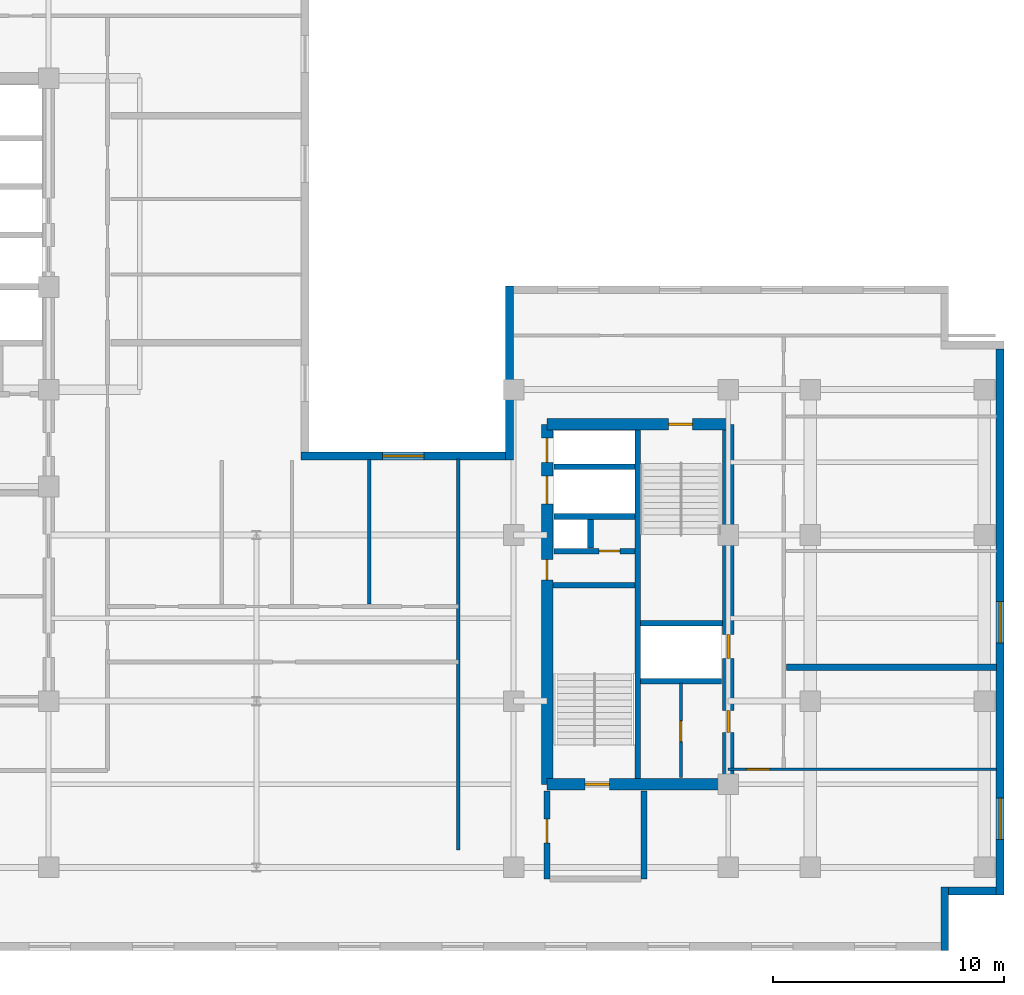
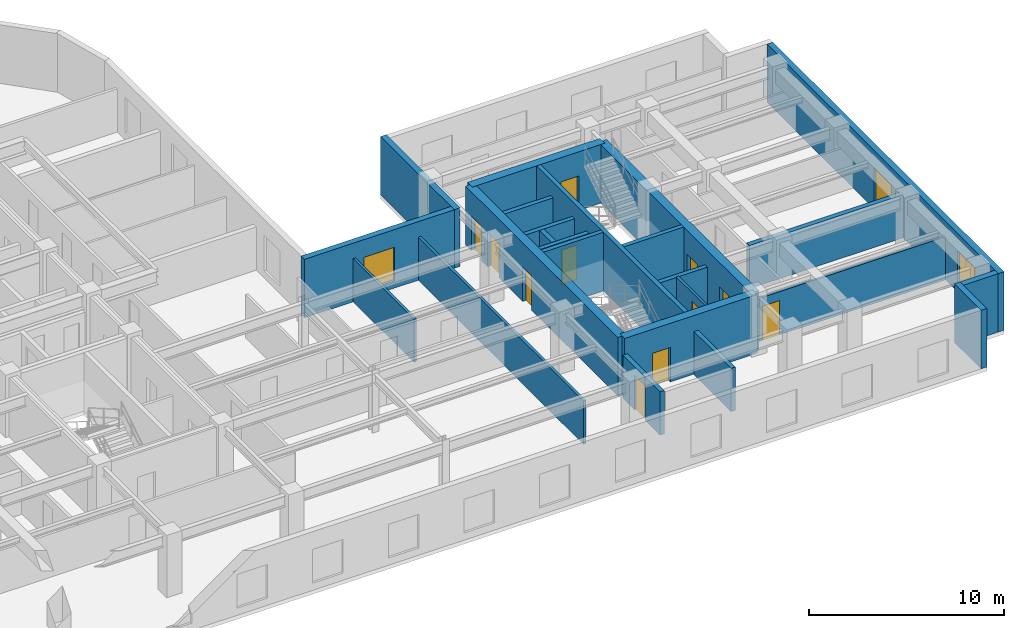
# One storey, part 6 of 11: 24 walls, 11 doors, 3 windows, 14 openings.
"""IFC4 building model written with IfcOpenShell, lengths in metres."""

from ifc_helpers import new_model, entity, si_unit, converted_unit, direction, frame, origin_with_axes, origin_2d_with_axis, place, context, subcontext, project, spatial, polyline, rectangle, outline, extrude, material, layer, layer_set, type_object, element, fill, save


model = new_model("IFC4")

# Units and contexts
model_context = context("Model", 3, precision=1e-05, world=origin_with_axes(), true_north=direction((0.0, 1.0)))
body_context = subcontext(model_context, "Body", "Model", "MODEL_VIEW")
ifc_project = project(units=[si_unit("LENGTHUNIT", "METRE"), si_unit("AREAUNIT", "SQUARE_METRE"), si_unit("VOLUMEUNIT", "CUBIC_METRE"), converted_unit("PLANEANGLEUNIT", "DEGREE", entity("IfcPlaneAngleMeasure", 0.017453292519943295), si_unit("PLANEANGLEUNIT", "RADIAN"), dimensions=[0, 0, 0, 0, 0, 0, 0]), si_unit("MASSUNIT", "GRAM", prefix="KILO"), si_unit("THERMODYNAMICTEMPERATUREUNIT", "KELVIN")], contexts=[model_context])

# Site, building, storey
site_placement = place(None, origin_with_axes())
site = spatial("IfcSite", under=ifc_project, at=site_placement, CompositionType="ELEMENT")
building_placement = place(site_placement, origin_with_axes())
building = spatial("IfcBuilding", under=site, at=building_placement, Name="Varnlund Millrace Tower", CompositionType="ELEMENT")
storey_placement = place(building_placement, frame((0.0, 0.0, 204.3), z_axis=(0.0, 0.0, 1.0), x_axis=(1.0, 0.0, 0.0)))
storey = spatial("IfcBuildingStorey", under=building, at=storey_placement, Name="L50", CompositionType="ELEMENT", Elevation=204.3)

# Wall, openings, doors
ifc_material_1 = material(Name="Concrete C70/85", Category="concrete")
ifc_layer_1 = layer(ifc_material_1, 0.5, Name="Concrete C70/85")
ifc_layer_set_1 = layer_set([ifc_layer_1], Name="Concrete C70/85")
wall_type_1 = type_object("IfcWallType", Name="Type-CoreWall-Shear-500-C70", PredefinedType="SHEAR", material=ifc_layer_set_1)
wall_1_placement = place(storey_placement, frame((40.2, 7.2, 0.0), z_axis=(0.0, 0.0, 1.0), x_axis=(0.0, 1.0, 0.0)))
wall_1 = element("IfcWall", 1, at=wall_1_placement, inside=storey, type_object=wall_type_1, Name="Type-CoreWall-Shear-500-C70", PredefinedType="SHEAR", context=body_context, shape_type="SweptSolid", body=[
    extrude(outline(polyline([(0.0, -0.25), (15.6, -0.25), (15.6, 0.25), (0.0, 0.25), (0.0, -0.25)])), origin_with_axes(), (0.0, 0.0, 1.0), 3.66),
])
opening_1_placement = place(wall_1_placement, frame((14.475, 0.0, 0.0), z_axis=(0.0, 0.0, 1.0), x_axis=(1.0, 0.0, 0.0)))
opening_1 = element("IfcOpeningElement", 2, at=opening_1_placement, cuts=wall_1, Name="Opening L50:LD-ELV-M4", PredefinedType="OPENING", context=body_context, shape_type="SweptSolid", body=[
    extrude(rectangle(XDim=1.05, YDim=0.52, at=origin_2d_with_axis()), origin_with_axes(), (0.0, 0.0, 1.0), 2.15),
])
opening_2_placement = place(wall_1_placement, frame((12.75, 0.0, 0.0), z_axis=(0.0, 0.0, 1.0), x_axis=(1.0, 0.0, 0.0)))
opening_2 = element("IfcOpeningElement", 3, at=opening_2_placement, cuts=wall_1, Name="Opening L50:LD-SRV2", PredefinedType="OPENING", context=body_context, shape_type="SweptSolid", body=[
    extrude(rectangle(XDim=1.2, YDim=0.52, at=origin_2d_with_axis()), origin_with_axes(), (0.0, 0.0, 1.0), 2.15),
])
opening_3_placement = place(wall_1_placement, frame((9.3, 0.0, 0.0), z_axis=(0.0, 0.0, 1.0), x_axis=(1.0, 0.0, 0.0)))
opening_3 = element("IfcOpeningElement", 4, at=opening_3_placement, cuts=wall_1, Name="Opening L50:DR-CB-JAN", PredefinedType="OPENING", context=body_context, shape_type="SweptSolid", body=[
    extrude(rectangle(XDim=0.9, YDim=0.52, at=origin_2d_with_axis()), origin_with_axes(), (0.0, 0.0, 1.0), 2.15),
])
ifc_material_2 = material(Name="Fire-rated hollow steel service closet door", Category="steel")
door_type_1 = type_object("IfcDoorType", Name="Type-FireDoor-Closet-900X2150", OperationType="NOTDEFINED", PredefinedType="DOOR", material=ifc_material_2)
door_1_placement = place(wall_1_placement, frame((9.3, 0.0, 0.0), z_axis=(0.0, 0.0, 1.0), x_axis=(1.0, 0.0, 0.0)))
door_1 = element("IfcDoor", 5, at=door_1_placement, inside=storey, type_object=door_type_1, Name="Type-FireDoor-Closet-900X2150", OperationType="SINGLE_SWING_RIGHT", OverallHeight=2.15, OverallWidth=0.9, PredefinedType="DOOR", context=body_context, shape_type="SweptSolid", body=[
    extrude(rectangle(XDim=0.9, YDim=0.09, at=origin_2d_with_axis()), origin_with_axes(), (0.0, 0.0, 1.0), 2.15),
])
fill(opening_3, door_1)
ifc_material_3 = material(Name="Architectural bronze sliding landing door")
door_type_2 = type_object("IfcDoorType", Name="Type-LiftLandingDoor-Compact-1050X2150", OperationType="NOTDEFINED", PredefinedType="DOOR", material=ifc_material_3)
door_2_placement = place(wall_1_placement, frame((14.475, 0.0, 0.0), z_axis=(0.0, 0.0, 1.0), x_axis=(1.0, 0.0, 0.0)))
door_2 = element("IfcDoor", 6, at=door_2_placement, inside=storey, type_object=door_type_2, Name="Type-LiftLandingDoor-Compact-1050X2150", OperationType="SLIDING_TO_RIGHT", OverallHeight=2.15, OverallWidth=1.05, PredefinedType="DOOR", context=body_context, shape_type="SweptSolid", body=[
    extrude(rectangle(XDim=1.05, YDim=0.09, at=origin_2d_with_axis()), origin_with_axes(), (0.0, 0.0, 1.0), 2.15),
])
fill(opening_1, door_2)
ifc_material_4 = material(Name="Heavy-duty freight sliding landing door")
door_type_3 = type_object("IfcDoorType", Name="Type-LiftLandingDoor-Service-1200X2150", OperationType="NOTDEFINED", PredefinedType="DOOR", material=ifc_material_4)
door_3_placement = place(wall_1_placement, frame((12.75, 0.0, 0.0), z_axis=(0.0, 0.0, 1.0), x_axis=(1.0, 0.0, 0.0)))
door_3 = element("IfcDoor", 7, at=door_3_placement, inside=storey, type_object=door_type_3, Name="Type-LiftLandingDoor-Service-1200X2150", OperationType="DOUBLE_DOOR_SLIDING", OverallHeight=2.15, OverallWidth=1.2, PredefinedType="DOOR", context=body_context, shape_type="SweptSolid", body=[
    extrude(rectangle(XDim=1.2, YDim=0.09, at=origin_2d_with_axis()), origin_with_axes(), (0.0, 0.0, 1.0), 2.15),
])
fill(opening_2, door_3)

# Wall, opening, door
wall_2_placement = place(storey_placement, frame((40.2, 7.2, 0.0), z_axis=(0.0, 0.0, 1.0), x_axis=(1.0, 0.0, 0.0)))
wall_2 = element("IfcWall", 8, at=wall_2_placement, inside=storey, type_object=wall_type_1, Name="Type-CoreWall-Shear-500-C70", PredefinedType="SHEAR", context=body_context, shape_type="SweptSolid", body=[
    extrude(outline(polyline([(0.0, -0.25), (7.85, -0.25), (7.85, 0.25), (0.0, 0.25), (0.0, -0.25)])), origin_with_axes(), (0.0, 0.0, 1.0), 3.66),
])
opening_4_placement = place(wall_2_placement, frame((2.175, 0.0, 0.0), z_axis=(0.0, 0.0, 1.0), x_axis=(1.0, 0.0, 0.0)))
opening_4 = element("IfcOpeningElement", 9, at=opening_4_placement, cuts=wall_2, Name="Opening L50:DR-STB1", PredefinedType="OPENING", context=body_context, shape_type="SweptSolid", body=[
    extrude(rectangle(XDim=1.05, YDim=0.52, at=origin_2d_with_axis()), origin_with_axes(), (0.0, 0.0, 1.0), 2.15),
])
ifc_material_5 = material(Name="Fire-rated hollow steel door", Category="steel")
door_type_4 = type_object("IfcDoorType", Name="Type-FireDoor-Stair-1050X2150", OperationType="NOTDEFINED", PredefinedType="DOOR", material=ifc_material_5)
door_4_placement = place(wall_2_placement, frame((2.175, 0.0, 0.0), z_axis=(0.0, 0.0, 1.0), x_axis=(1.0, 0.0, 0.0)))
door_4 = element("IfcDoor", 10, at=door_4_placement, inside=storey, type_object=door_type_4, Name="Type-FireDoor-Stair-1050X2150", OperationType="SINGLE_SWING_LEFT", OverallHeight=2.15, OverallWidth=1.05, PredefinedType="DOOR", context=body_context, shape_type="SweptSolid", body=[
    extrude(rectangle(XDim=1.05, YDim=0.09, at=origin_2d_with_axis()), origin_with_axes(), (0.0, 0.0, 1.0), 2.15),
])
fill(opening_4, door_4)

wall_3_placement = place(storey_placement, frame((40.2, 22.8, 0.0), z_axis=(0.0, 0.0, 1.0), x_axis=(1.0, 0.0, 0.0)))
wall_3 = element("IfcWall", 11, at=wall_3_placement, inside=storey, type_object=wall_type_1, Name="Type-CoreWall-Shear-500-C70", PredefinedType="SHEAR", context=body_context, shape_type="SweptSolid", body=[
    extrude(outline(polyline([(0.0, -0.25), (7.85, -0.25), (7.85, 0.25), (0.0, 0.25), (0.0, -0.25)])), origin_with_axes(), (0.0, 0.0, 1.0), 3.66),
])
opening_5_placement = place(wall_3_placement, frame((5.775, 0.0, 0.0), z_axis=(0.0, 0.0, 1.0), x_axis=(1.0, 0.0, 0.0)))
opening_5 = element("IfcOpeningElement", 12, at=opening_5_placement, cuts=wall_3, Name="Opening L50:DR-STB2", PredefinedType="OPENING", context=body_context, shape_type="SweptSolid", body=[
    extrude(rectangle(XDim=1.05, YDim=0.52, at=origin_2d_with_axis()), origin_with_axes(), (0.0, 0.0, 1.0), 2.15),
])
door_5_placement = place(wall_3_placement, frame((5.775, 0.0, 0.0), z_axis=(0.0, 0.0, 1.0), x_axis=(1.0, 0.0, 0.0)))
door_5 = element("IfcDoor", 13, at=door_5_placement, inside=storey, type_object=door_type_4, Name="Type-FireDoor-Stair-1050X2150", OperationType="SINGLE_SWING_RIGHT", OverallHeight=2.15, OverallWidth=1.05, PredefinedType="DOOR", context=body_context, shape_type="SweptSolid", body=[
    extrude(rectangle(XDim=1.05, YDim=0.09, at=origin_2d_with_axis()), origin_with_axes(), (0.0, 0.0, 1.0), 2.15),
])
fill(opening_5, door_5)

# Wall, openings, doors
wall_4_placement = place(storey_placement, frame((48.05, 7.2, 0.0), z_axis=(0.0, 0.0, 1.0), x_axis=(0.0, 1.0, 0.0)))
wall_4 = element("IfcWall", 14, at=wall_4_placement, inside=storey, type_object=wall_type_1, Name="Type-CoreWall-Shear-500-C70", PredefinedType="SHEAR", context=body_context, shape_type="SweptSolid", body=[
    extrude(outline(polyline([(0.0, -0.25), (15.6, -0.25), (15.6, 0.25), (0.0, 0.25), (0.0, -0.25)])), origin_with_axes(), (0.0, 0.0, 1.0), 3.66),
])
opening_6_placement = place(wall_4_placement, frame((5.975, 0.0, 0.0), z_axis=(0.0, 0.0, 1.0), x_axis=(1.0, 0.0, 0.0)))
opening_6 = element("IfcOpeningElement", 15, at=opening_6_placement, cuts=wall_4, Name="Opening L50:LD-ELV-M3", PredefinedType="OPENING", context=body_context, shape_type="SweptSolid", body=[
    extrude(rectangle(XDim=1.05, YDim=0.52, at=origin_2d_with_axis()), origin_with_axes(), (0.0, 0.0, 1.0), 2.15),
])
opening_7_placement = place(wall_4_placement, frame((2.725, 0.0, 0.0), z_axis=(0.0, 0.0, 1.0), x_axis=(1.0, 0.0, 0.0)))
opening_7 = element("IfcOpeningElement", 16, at=opening_7_placement, cuts=wall_4, Name="Opening L50:DR-CB-WC2", PredefinedType="OPENING", context=body_context, shape_type="SweptSolid", body=[
    extrude(rectangle(XDim=0.95, YDim=0.52, at=origin_2d_with_axis()), origin_with_axes(), (0.0, 0.0, 1.0), 2.15),
])
ifc_material_6 = material(Name="Fire-rated hollow steel core service door", Category="steel")
door_type_5 = type_object("IfcDoorType", Name="Type-FireDoor-Service-950X2150", OperationType="NOTDEFINED", PredefinedType="DOOR", material=ifc_material_6)
door_6_placement = place(wall_4_placement, frame((2.725, 0.0, 0.0), z_axis=(0.0, 0.0, 1.0), x_axis=(1.0, 0.0, 0.0)))
door_6 = element("IfcDoor", 17, at=door_6_placement, inside=storey, type_object=door_type_5, Name="Type-FireDoor-Service-950X2150", OperationType="SINGLE_SWING_LEFT", OverallHeight=2.15, OverallWidth=0.95, PredefinedType="DOOR", context=body_context, shape_type="SweptSolid", body=[
    extrude(rectangle(XDim=0.95, YDim=0.09, at=origin_2d_with_axis()), origin_with_axes(), (0.0, 0.0, 1.0), 2.15),
])
fill(opening_7, door_6)
door_7_placement = place(wall_4_placement, frame((5.975, 0.0, 0.0), z_axis=(0.0, 0.0, 1.0), x_axis=(1.0, 0.0, 0.0)))
door_7 = element("IfcDoor", 18, at=door_7_placement, inside=storey, type_object=door_type_2, Name="Type-LiftLandingDoor-Compact-1050X2150", OperationType="SLIDING_TO_LEFT", OverallHeight=2.15, OverallWidth=1.05, PredefinedType="DOOR", context=body_context, shape_type="SweptSolid", body=[
    extrude(rectangle(XDim=1.05, YDim=0.09, at=origin_2d_with_axis()), origin_with_axes(), (0.0, 0.0, 1.0), 2.15),
])
fill(opening_6, door_7)

# Wall
ifc_material_7 = material(Name="Precast concrete C50/60", Category="concrete")
ifc_layer_2 = layer(ifc_material_7, 0.34, Name="Precast concrete C50/60")
ifc_layer_set_2 = layer_set([ifc_layer_2], Name="Precast concrete C50/60")
wall_type_2 = type_object("IfcWallType", Name="Type-ExtWall-Precast-Upper-340", PredefinedType="SOLIDWALL", material=ifc_layer_set_2)
wall_5_placement = place(storey_placement, frame((38.57, 21.26, 0.0), z_axis=(0.0, 0.0, 1.0), x_axis=(0.0, 1.0, 0.0)))
element("IfcWall", 19, at=wall_5_placement, inside=storey, type_object=wall_type_2, Name="Type-ExtWall-Precast-Upper-340", PredefinedType="SOLIDWALL", context=body_context, shape_type="SweptSolid", body=[
    extrude(outline(polyline([(0.0, -0.17), (7.54, -0.17), (7.54, 0.17), (0.0, 0.17), (0.0, -0.17)])), origin_with_axes(), (0.0, 0.0, 1.0), 3.66),
])

# Wall, openings, windows
wall_6_placement = place(storey_placement, frame((59.83, 26.06, 0.0), z_axis=(0.0, 0.0, 1.0), x_axis=(0.0, -1.0, 0.0)))
wall_6 = element("IfcWall", 20, at=wall_6_placement, inside=storey, type_object=wall_type_2, Name="Type-ExtWall-Precast-Upper-340", PredefinedType="SOLIDWALL", context=body_context, shape_type="SweptSolid", body=[
    extrude(outline(polyline([(0.0, -0.17), (23.66, -0.17), (23.66, 0.17), (0.0, 0.17), (0.0, -0.17)])), origin_with_axes(), (0.0, 0.0, 1.0), 3.66),
])
opening_8_placement = place(wall_6_placement, frame((11.83, 0.0, 0.45), z_axis=(0.0, 0.0, 1.0), x_axis=(1.0, 0.0, 0.0)))
opening_8 = element("IfcOpeningElement", 21, at=opening_8_placement, cuts=wall_6, Name="Opening L50:WN-05", PredefinedType="OPENING", context=body_context, shape_type="SweptSolid", body=[
    extrude(rectangle(XDim=1.8, YDim=0.36, at=origin_2d_with_axis()), origin_with_axes(), (0.0, 0.0, 1.0), 2.1),
])
opening_9_placement = place(wall_6_placement, frame((20.364, 0.0, 0.45), z_axis=(0.0, 0.0, 1.0), x_axis=(1.0, 0.0, 0.0)))
opening_9 = element("IfcOpeningElement", 22, at=opening_9_placement, cuts=wall_6, Name="Opening L50:WN-06", PredefinedType="OPENING", context=body_context, shape_type="SweptSolid", body=[
    extrude(rectangle(XDim=1.8, YDim=0.36, at=origin_2d_with_axis()), origin_with_axes(), (0.0, 0.0, 1.0), 2.1),
])
ifc_material_8 = material(Name="Argon low-e triple glazing in thermally broken bronze frame", Category="glass")
window_type = type_object("IfcWindowType", Name="Type-Window-Punched-1800X2100", PartitioningType="SINGLE_PANEL", PredefinedType="WINDOW", material=ifc_material_8)
window_1_placement = place(wall_6_placement, frame((11.83, 0.0, 0.45), z_axis=(0.0, 0.0, 1.0), x_axis=(1.0, 0.0, 0.0)))
window_1 = element("IfcWindow", 23, at=window_1_placement, inside=storey, type_object=window_type, Name="Type-Window-Punched-1800X2100", OverallHeight=2.1, OverallWidth=1.8, PredefinedType="WINDOW", context=body_context, shape_type="SweptSolid", body=[
    extrude(rectangle(XDim=1.8, YDim=0.09, at=origin_2d_with_axis()), origin_with_axes(), (0.0, 0.0, 1.0), 2.1),
])
fill(opening_8, window_1)
window_2_placement = place(wall_6_placement, frame((20.364, 0.0, 0.45), z_axis=(0.0, 0.0, 1.0), x_axis=(1.0, 0.0, 0.0)))
window_2 = element("IfcWindow", 24, at=window_2_placement, inside=storey, type_object=window_type, Name="Type-Window-Punched-1800X2100", OverallHeight=2.1, OverallWidth=1.8, PredefinedType="WINDOW", context=body_context, shape_type="SweptSolid", body=[
    extrude(rectangle(XDim=1.8, YDim=0.09, at=origin_2d_with_axis()), origin_with_axes(), (0.0, 0.0, 1.0), 2.1),
])
fill(opening_9, window_2)

# Walls
wall_7_placement = place(storey_placement, frame((59.66, 2.57, 0.0), z_axis=(0.0, 0.0, 1.0), x_axis=(-1.0, 0.0, 0.0)))
element("IfcWall", 25, at=wall_7_placement, inside=storey, type_object=wall_type_2, Name="Type-ExtWall-Precast-Upper-340", PredefinedType="SOLIDWALL", context=body_context, shape_type="SweptSolid", body=[
    extrude(outline(polyline([(0.0, -0.17), (2.06, -0.17), (2.06, 0.17), (0.0, 0.17), (0.0, -0.17)])), origin_with_axes(), (0.0, 0.0, 1.0), 3.66),
])
wall_8_placement = place(storey_placement, frame((57.43, 2.74, 0.0), z_axis=(0.0, 0.0, 1.0), x_axis=(0.0, -1.0, 0.0)))
element("IfcWall", 26, at=wall_8_placement, inside=storey, type_object=wall_type_2, Name="Type-ExtWall-Precast-Upper-340", PredefinedType="SOLIDWALL", context=body_context, shape_type="SweptSolid", body=[
    extrude(outline(polyline([(0.0, -0.17), (2.74, -0.17), (2.74, 0.17), (0.0, 0.17), (0.0, -0.17)])), origin_with_axes(), (0.0, 0.0, 1.0), 3.66),
])

# Wall, opening, window
wall_9_placement = place(storey_placement, frame((29.541, 21.43, 0.0), z_axis=(0.0, 0.0, 1.0), x_axis=(1.0, 0.0, 0.0)))
wall_9 = element("IfcWall", 27, at=wall_9_placement, inside=storey, type_object=wall_type_2, Name="Type-ExtWall-Precast-Upper-340", PredefinedType="SOLIDWALL", context=body_context, shape_type="SweptSolid", body=[
    extrude(outline(polyline([(0.0, -0.17), (8.859, -0.17), (8.859, 0.17), (0.0, 0.17), (0.0, -0.17)])), origin_with_axes(), (0.0, 0.0, 1.0), 3.66),
])
opening_10_placement = place(wall_9_placement, frame((4.429, 0.0, 0.45), z_axis=(0.0, 0.0, 1.0), x_axis=(1.0, 0.0, 0.0)))
opening_10 = element("IfcOpeningElement", 28, at=opening_10_placement, cuts=wall_9, Name="Opening L50:WN-30", PredefinedType="OPENING", context=body_context, shape_type="SweptSolid", body=[
    extrude(rectangle(XDim=1.8, YDim=0.36, at=origin_2d_with_axis()), origin_with_axes(), (0.0, 0.0, 1.0), 2.1),
])
window_3_placement = place(wall_9_placement, frame((4.429, 0.0, 0.45), z_axis=(0.0, 0.0, 1.0), x_axis=(1.0, 0.0, 0.0)))
window_3 = element("IfcWindow", 29, at=window_3_placement, inside=storey, type_object=window_type, Name="Type-Window-Punched-1800X2100", OverallHeight=2.1, OverallWidth=1.8, PredefinedType="WINDOW", context=body_context, shape_type="SweptSolid", body=[
    extrude(rectangle(XDim=1.8, YDim=0.09, at=origin_2d_with_axis()), origin_with_axes(), (0.0, 0.0, 1.0), 2.1),
])
fill(opening_10, window_3)

# Walls
ifc_material_9 = material(Name="Double-stud STC-60 conference acoustic partition", Category="gypsum")
ifc_layer_3 = layer(ifc_material_9, 0.28, Name="Double-stud STC-60 conference acoustic partition")
ifc_layer_set_3 = layer_set([ifc_layer_3], Name="Double-stud STC-60 conference acoustic partition")
wall_type_3 = type_object("IfcWallType", Name="Type-Partition-Acoustic-280", PredefinedType="PARTITIONING", material=ifc_layer_set_3)
wall_10_placement = place(storey_placement, frame((50.57, 12.264, 0.0), z_axis=(0.0, 0.0, 1.0), x_axis=(1.0, 0.0, 0.0)))
element("IfcWall", 30, at=wall_10_placement, inside=storey, type_object=wall_type_3, Name="Type-Partition-Acoustic-280", PredefinedType="PARTITIONING", context=body_context, shape_type="SweptSolid", body=[
    extrude(outline(polyline([(0.0, -0.14), (9.095, -0.14), (9.095, 0.14), (0.0, 0.14), (0.0, -0.14)])), origin_with_axes(), (0.0, 0.0, 1.0), 2.7),
])
ifc_material_10 = material(Name="Fire-rated gypsum board on cold-formed steel framing", Category="steel")
ifc_layer_4 = layer(ifc_material_10, 0.16, Name="Fire-rated gypsum board on cold-formed steel framing")
ifc_layer_set_4 = layer_set([ifc_layer_4], Name="Fire-rated gypsum board on cold-formed steel framing")
wall_type_4 = type_object("IfcWallType", Name="Type-Partition-Corridor-160", PredefinedType="PARTITIONING", material=ifc_layer_set_4)
wall_11_placement = place(storey_placement, frame((36.35, 4.35, 0.0), z_axis=(0.0, 0.0, 1.0), x_axis=(0.0, 1.0, 0.0)))
element("IfcWall", 31, at=wall_11_placement, inside=storey, type_object=wall_type_4, Name="Type-Partition-Corridor-160", PredefinedType="PARTITIONING", context=body_context, shape_type="SweptSolid", body=[
    extrude(outline(polyline([(0.0, -0.08), (16.95, -0.08), (16.95, 0.08), (0.0, 0.08), (0.0, -0.08)])), origin_with_axes(), (0.0, 0.0, 1.0), 2.7),
])
ifc_material_11 = material(Name="Acoustic STC-50 gypsum board partition", Category="gypsum")
ifc_layer_5 = layer(ifc_material_11, 0.15, Name="Acoustic STC-50 gypsum board partition")
ifc_layer_set_5 = layer_set([ifc_layer_5], Name="Acoustic STC-50 gypsum board partition")
wall_type_5 = type_object("IfcWallType", Name="Type-Partition-Demising-150", PredefinedType="PARTITIONING", material=ifc_layer_set_5)
wall_12_placement = place(storey_placement, frame((32.493, 15.02, 0.0), z_axis=(0.0, 0.0, 1.0), x_axis=(0.0, 1.0, 0.0)))
element("IfcWall", 32, at=wall_12_placement, inside=storey, type_object=wall_type_5, Name="Type-Partition-Demising-150", PredefinedType="PARTITIONING", context=body_context, shape_type="SweptSolid", body=[
    extrude(outline(polyline([(0.0, -0.075), (6.245, -0.075), (6.245, 0.075), (0.0, 0.075), (0.0, -0.075)])), origin_with_axes(), (0.0, 0.0, 1.0), 2.7),
])

# Wall, opening, door
ifc_material_12 = material(Name="Gypsum board tenant partition", Category="gypsum")
ifc_layer_6 = layer(ifc_material_12, 0.125, Name="Gypsum board tenant partition")
ifc_layer_set_6 = layer_set([ifc_layer_6], Name="Gypsum board tenant partition")
wall_type_6 = type_object("IfcWallType", Name="Type-Partition-Tenant-125", PredefinedType="PARTITIONING", material=ifc_layer_set_6)
wall_13_placement = place(storey_placement, frame((59.665, 7.85, 0.0), z_axis=(0.0, 0.0, 1.0), x_axis=(-1.0, 0.0, 0.0)))
wall_13 = element("IfcWall", 33, at=wall_13_placement, inside=storey, type_object=wall_type_6, Name="Type-Partition-Tenant-125", PredefinedType="PARTITIONING", context=body_context, shape_type="SweptSolid", body=[
    extrude(outline(polyline([(0.0, -0.0625), (11.615, -0.0625), (11.615, 0.0625), (0.0, 0.0625), (0.0, -0.0625)])), origin_with_axes(), (0.0, 0.0, 1.0), 2.7),
])
opening_11_placement = place(wall_13_placement, frame((10.315, 0.0, 0.0), z_axis=(0.0, 0.0, 1.0), x_axis=(1.0, 0.0, 0.0)))
opening_11 = element("IfcOpeningElement", 34, at=opening_11_placement, cuts=wall_13, Name="Opening L50:DR-WBS-01", PredefinedType="OPENING", context=body_context, shape_type="SweptSolid", body=[
    extrude(rectangle(XDim=1.0, YDim=0.145, at=origin_2d_with_axis()), origin_with_axes(), (0.0, 0.0, 1.0), 2.15),
])
ifc_material_13 = material(Name="Solid-core white oak and bronze frame door")
door_type_6 = type_object("IfcDoorType", Name="Type-IntDoor-Office-1000X2150", OperationType="NOTDEFINED", PredefinedType="DOOR", material=ifc_material_13)
door_8_placement = place(wall_13_placement, frame((10.315, 0.0, 0.0), z_axis=(0.0, 0.0, 1.0), x_axis=(1.0, 0.0, 0.0)))
door_8 = element("IfcDoor", 35, at=door_8_placement, inside=storey, type_object=door_type_6, Name="Type-IntDoor-Office-1000X2150", OperationType="SINGLE_SWING_LEFT", OverallHeight=2.15, OverallWidth=1.0, PredefinedType="DOOR", context=body_context, shape_type="SweptSolid", body=[
    extrude(rectangle(XDim=1.0, YDim=0.075, at=origin_2d_with_axis()), origin_with_axes(), (0.0, 0.0, 1.0), 2.15),
])
fill(opening_11, door_8)

ifc_material_14 = material(Name="Moisture-resistant gypsum restroom partition", Category="gypsum")
ifc_layer_7 = layer(ifc_material_14, 0.14, Name="Moisture-resistant gypsum restroom partition")
ifc_layer_set_7 = layer_set([ifc_layer_7], Name="Moisture-resistant gypsum restroom partition")
wall_type_7 = type_object("IfcWallType", Name="Type-Partition-Wet-140", PredefinedType="PARTITIONING", material=ifc_layer_set_7)
wall_14_placement = place(storey_placement, frame((46.0, 7.5, 0.0), z_axis=(0.0, 0.0, 1.0), x_axis=(0.0, 1.0, 0.0)))
wall_14 = element("IfcWall", 36, at=wall_14_placement, inside=storey, type_object=wall_type_7, Name="Type-Partition-Wet-140", PredefinedType="PARTITIONING", context=body_context, shape_type="SweptSolid", body=[
    extrude(outline(polyline([(0.0, -0.07), (4.08, -0.07), (4.08, 0.07), (0.0, 0.07), (0.0, -0.07)])), origin_with_axes(), (0.0, 0.0, 1.0), 2.7),
])
opening_12_placement = place(wall_14_placement, frame((2.0, 0.0, 0.0), z_axis=(0.0, 0.0, 1.0), x_axis=(1.0, 0.0, 0.0)))
opening_12 = element("IfcOpeningElement", 37, at=opening_12_placement, cuts=wall_14, Name="Opening L50:DR-CB-WC1", PredefinedType="OPENING", context=body_context, shape_type="SweptSolid", body=[
    extrude(rectangle(XDim=0.9, YDim=0.16, at=origin_2d_with_axis()), origin_with_axes(), (0.0, 0.0, 1.0), 2.15),
])
ifc_material_15 = material(Name="Painted steel riser and closet door", Category="steel")
door_type_7 = type_object("IfcDoorType", Name="Type-IntDoor-Closet-900X2150", OperationType="NOTDEFINED", PredefinedType="DOOR", material=ifc_material_15)
door_9_placement = place(wall_14_placement, frame((2.0, 0.0, 0.0), z_axis=(0.0, 0.0, 1.0), x_axis=(1.0, 0.0, 0.0)))
door_9 = element("IfcDoor", 38, at=door_9_placement, inside=storey, type_object=door_type_7, Name="Type-IntDoor-Closet-900X2150", OperationType="SINGLE_SWING_LEFT", OverallHeight=2.15, OverallWidth=0.9, PredefinedType="DOOR", context=body_context, shape_type="SweptSolid", body=[
    extrude(rectangle(XDim=0.9, YDim=0.084, at=origin_2d_with_axis()), origin_with_axes(), (0.0, 0.0, 1.0), 2.15),
])
fill(opening_12, door_9)

ifc_material_16 = material(Name="Concrete C60/75", Category="concrete")
ifc_layer_8 = layer(ifc_material_16, 0.25, Name="Concrete C60/75")
ifc_layer_set_8 = layer_set([ifc_layer_8], Name="Concrete C60/75")
wall_type_8 = type_object("IfcWallType", Name="Type-ShaftWall-Fire-250", PredefinedType="SOLIDWALL", material=ifc_layer_set_8)
wall_15_placement = place(storey_placement, frame((40.5, 17.3, 0.0), z_axis=(0.0, 0.0, 1.0), x_axis=(1.0, 0.0, 0.0)))
wall_15 = element("IfcWall", 39, at=wall_15_placement, inside=storey, type_object=wall_type_8, Name="Type-ShaftWall-Fire-250", PredefinedType="SOLIDWALL", context=body_context, shape_type="SweptSolid", body=[
    extrude(outline(polyline([(0.0, -0.125), (3.5, -0.125), (3.5, 0.125), (0.0, 0.125), (0.0, -0.125)])), origin_with_axes(), (0.0, 0.0, 1.0), 2.7),
])
opening_13_placement = place(wall_15_placement, frame((2.4, 0.0, 0.0), z_axis=(0.0, 0.0, 1.0), x_axis=(1.0, 0.0, 0.0)))
opening_13 = element("IfcOpeningElement", 40, at=opening_13_placement, cuts=wall_15, Name="Opening L50:DR-CB-ELC", PredefinedType="OPENING", context=body_context, shape_type="SweptSolid", body=[
    extrude(rectangle(XDim=0.9, YDim=0.27, at=origin_2d_with_axis()), origin_with_axes(), (0.0, 0.0, 1.0), 2.15),
])
door_10_placement = place(wall_15_placement, frame((2.4, 0.0, 0.0), z_axis=(0.0, 0.0, 1.0), x_axis=(1.0, 0.0, 0.0)))
door_10 = element("IfcDoor", 41, at=door_10_placement, inside=storey, type_object=door_type_1, Name="Type-FireDoor-Closet-900X2150", OperationType="SINGLE_SWING_LEFT", OverallHeight=2.15, OverallWidth=0.9, PredefinedType="DOOR", context=body_context, shape_type="SweptSolid", body=[
    extrude(rectangle(XDim=0.9, YDim=0.09, at=origin_2d_with_axis()), origin_with_axes(), (0.0, 0.0, 1.0), 2.15),
])
fill(opening_13, door_10)

# Walls
wall_16_placement = place(storey_placement, frame((40.5, 18.8, 0.0), z_axis=(0.0, 0.0, 1.0), x_axis=(1.0, 0.0, 0.0)))
element("IfcWall", 42, at=wall_16_placement, inside=storey, type_object=wall_type_8, Name="Type-ShaftWall-Fire-250", PredefinedType="SOLIDWALL", context=body_context, shape_type="SweptSolid", body=[
    extrude(outline(polyline([(0.0, -0.125), (3.5, -0.125), (3.5, 0.125), (0.0, 0.125), (0.0, -0.125)])), origin_with_axes(), (0.0, 0.0, 1.0), 2.7),
])
wall_17_placement = place(storey_placement, frame((42.075, 17.43, 0.0), z_axis=(0.0, 0.0, 1.0), x_axis=(0.0, 1.0, 0.0)))
element("IfcWall", 43, at=wall_17_placement, inside=storey, type_object=wall_type_8, Name="Type-ShaftWall-Fire-250", PredefinedType="SOLIDWALL", context=body_context, shape_type="SweptSolid", body=[
    extrude(outline(polyline([(0.0, -0.125), (1.24, -0.125), (1.24, 0.125), (0.0, 0.125), (0.0, -0.125)])), origin_with_axes(), (0.0, 0.0, 1.0), 2.7),
])

# Wall, opening, door
wall_18_placement = place(storey_placement, frame((40.2, 3.1, 0.0), z_axis=(0.0, 0.0, 1.0), x_axis=(0.0, 1.0, 0.0)))
wall_18 = element("IfcWall", 44, at=wall_18_placement, inside=storey, type_object=wall_type_8, Name="Type-ShaftWall-Fire-250", PredefinedType="SOLIDWALL", context=body_context, shape_type="SweptSolid", body=[
    extrude(outline(polyline([(0.0, -0.125), (3.8, -0.125), (3.8, 0.125), (0.0, 0.125), (0.0, -0.125)])), origin_with_axes(), (0.0, 0.0, 1.0), 2.7),
])
opening_14_placement = place(wall_18_placement, frame((2.075, 0.0, 0.0), z_axis=(0.0, 0.0, 1.0), x_axis=(1.0, 0.0, 0.0)))
opening_14 = element("IfcOpeningElement", 45, at=opening_14_placement, cuts=wall_18, Name="Opening L50:DR-FFLOB-B", PredefinedType="OPENING", context=body_context, shape_type="SweptSolid", body=[
    extrude(rectangle(XDim=1.05, YDim=0.27, at=origin_2d_with_axis()), origin_with_axes(), (0.0, 0.0, 1.0), 2.15),
])
ifc_material_17 = material(Name="Smoke-barrier hollow steel fire door", Category="steel")
door_type_8 = type_object("IfcDoorType", Name="Type-FireDoor-Lobby-1050X2150", OperationType="NOTDEFINED", PredefinedType="DOOR", material=ifc_material_17)
door_11_placement = place(wall_18_placement, frame((2.075, 0.0, 0.0), z_axis=(0.0, 0.0, 1.0), x_axis=(1.0, 0.0, 0.0)))
door_11 = element("IfcDoor", 46, at=door_11_placement, inside=storey, type_object=door_type_8, Name="Type-FireDoor-Lobby-1050X2150", OperationType="SINGLE_SWING_LEFT", OverallHeight=2.15, OverallWidth=1.05, PredefinedType="DOOR", context=body_context, shape_type="SweptSolid", body=[
    extrude(rectangle(XDim=1.05, YDim=0.09, at=origin_2d_with_axis()), origin_with_axes(), (0.0, 0.0, 1.0), 2.15),
])
fill(opening_14, door_11)

# Walls
wall_19_placement = place(storey_placement, frame((44.4, 3.1, 0.0), z_axis=(0.0, 0.0, 1.0), x_axis=(0.0, 1.0, 0.0)))
element("IfcWall", 47, at=wall_19_placement, inside=storey, type_object=wall_type_8, Name="Type-ShaftWall-Fire-250", PredefinedType="SOLIDWALL", context=body_context, shape_type="SweptSolid", body=[
    extrude(outline(polyline([(0.0, -0.125), (3.8, -0.125), (3.8, 0.125), (0.0, 0.125), (0.0, -0.125)])), origin_with_axes(), (0.0, 0.0, 1.0), 2.7),
])
for number, where, z_axis, x_axis, name in (
    (48, (40.5, 20.96, 0.0), (0.0, 0.0, 1.0), (1.0, 0.0, 0.0), "Type-ShaftWall-Fire-250"),
    (49, (44.25, 11.66, 0.0), (0.0, 0.0, 1.0), (1.0, 0.0, 0.0), "Type-ShaftWall-Fire-250"),
):
    element("IfcWall", number, at=place(storey_placement, frame(where, z_axis=z_axis, x_axis=x_axis)), inside=storey, type_object=wall_type_8, Name=name, PredefinedType="SOLIDWALL", context=body_context, shape_type="SweptSolid", body=[
        extrude(outline(polyline([(0.0, -0.125), (3.5, -0.125), (3.5, 0.125), (0.0, 0.125), (0.0, -0.125)])), origin_with_axes(), (0.0, 0.0, 1.0), 2.7),
    ])
wall_type_9 = type_object("IfcWallType", Name="Type-StairWall-Shear-250", PredefinedType="SHEAR", material=ifc_layer_set_8)
wall_20_placement = place(storey_placement, frame((44.125, 7.45, 0.0), z_axis=(0.0, 0.0, 1.0), x_axis=(0.0, 1.0, 0.0)))
element("IfcWall", 50, at=wall_20_placement, inside=storey, type_object=wall_type_9, Name="Type-StairWall-Shear-250", PredefinedType="SHEAR", context=body_context, shape_type="SweptSolid", body=[
    extrude(outline(polyline([(0.0, -0.125), (15.1, -0.125), (15.1, 0.125), (0.0, 0.125), (0.0, -0.125)])), origin_with_axes(), (0.0, 0.0, 1.0), 3.66),
])
for number, where, z_axis, x_axis, name in (
    (51, (40.45, 15.825, 0.0), (0.0, 0.0, 1.0), (1.0, 0.0, 0.0), "Type-StairWall-Shear-250"),
    (52, (44.25, 14.175, 0.0), (0.0, 0.0, 1.0), (1.0, 0.0, 0.0), "Type-StairWall-Shear-250"),
):
    element("IfcWall", number, at=place(storey_placement, frame(where, z_axis=z_axis, x_axis=x_axis)), inside=storey, type_object=wall_type_9, Name=name, PredefinedType="SHEAR", context=body_context, shape_type="SweptSolid", body=[
        extrude(outline(polyline([(0.0, -0.125), (3.55, -0.125), (3.55, 0.125), (0.0, 0.125), (0.0, -0.125)])), origin_with_axes(), (0.0, 0.0, 1.0), 3.66),
    ])

save(model, "model.ifc")
